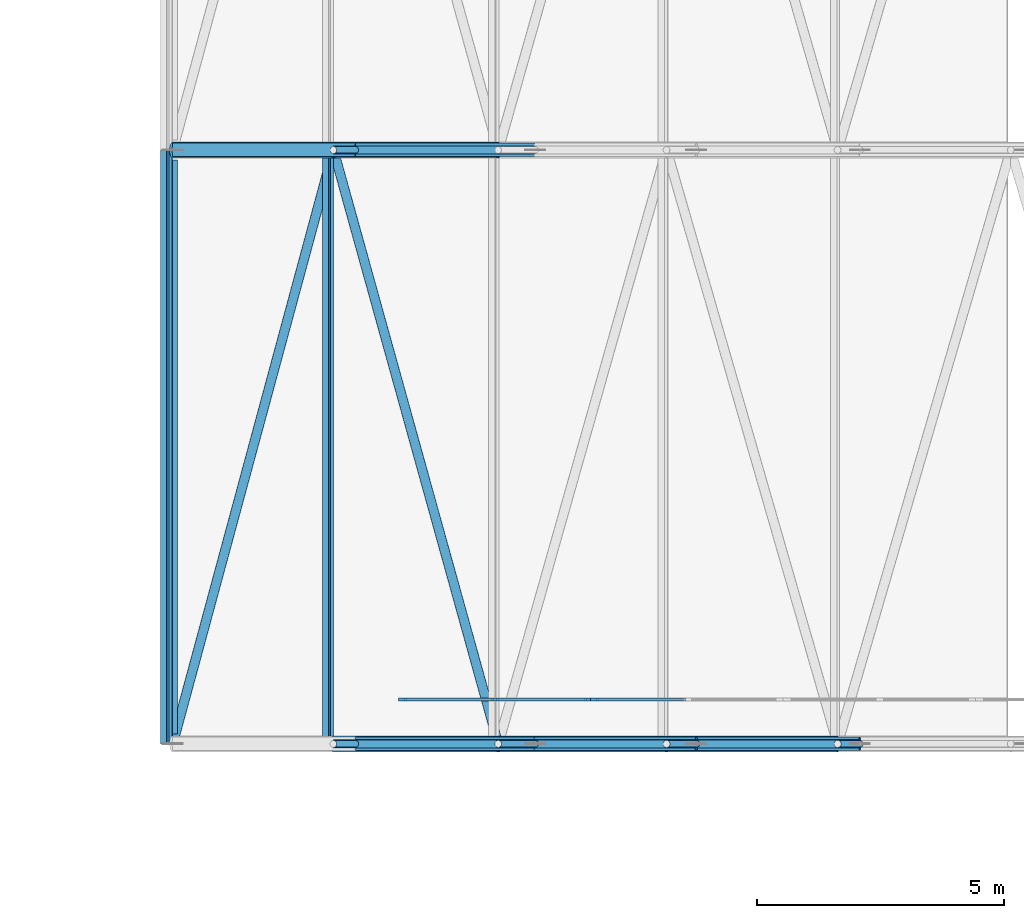
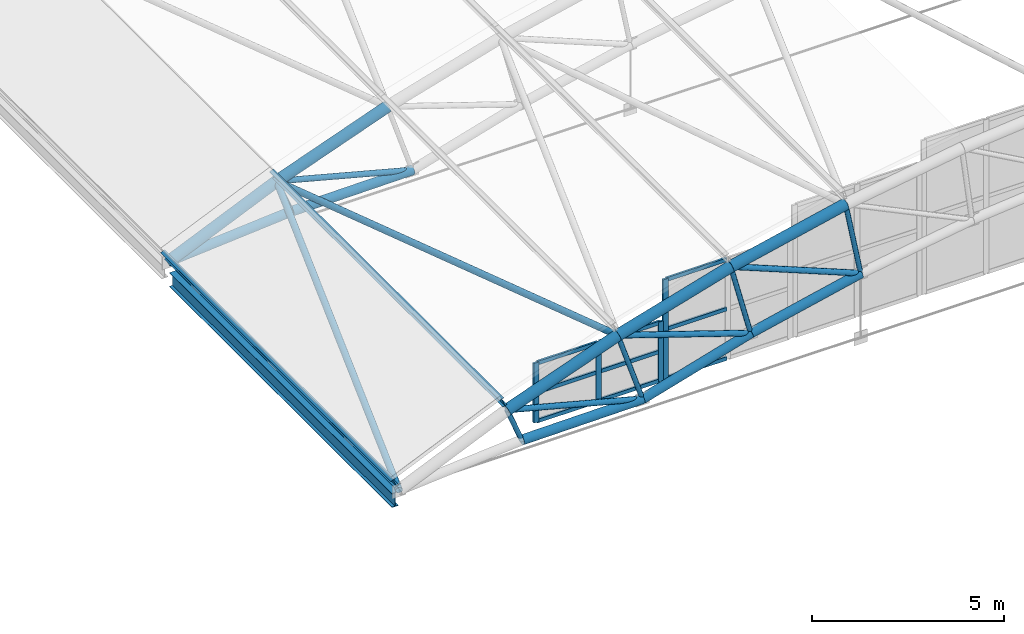
# One storey, part 114 of 321: 36 members, 1 beam, 2 elements without a shape of their own.
"""IFC4 building model written with IfcOpenShell, lengths in metres."""

from ifc_helpers import new_model, si_unit, direction, frame, origin, origin_2d, place, context, subcontext, project, spatial, rectangle, hollow_circle, i_section, extrude, material, layer, layer_set, material_profile, profile_set, type_object, element, aggregate, save


model = new_model("IFC4")

# Units and contexts
model_context = context("Model", 3, precision=1e-05, world=origin(), true_north=direction((0.0, 1.0)))
body_context = subcontext(model_context, "Body", "Model", "MODEL_VIEW")
ifc_project = project(units=[si_unit("LENGTHUNIT", "METRE"), si_unit("AREAUNIT", "SQUARE_METRE"), si_unit("VOLUMEUNIT", "CUBIC_METRE"), si_unit("PLANEANGLEUNIT", "RADIAN"), si_unit("MASSUNIT", "GRAM", prefix="KILO")], contexts=[model_context])

# Site, building, storey
site_placement = place(None, origin())
site = spatial("IfcSite", under=ifc_project, at=site_placement, CompositionType="ELEMENT")
building_placement = place(site_placement, origin())
building = spatial("IfcBuilding", under=site, at=building_placement, Name="Ravi Spectrum Wholesale Market", CompositionType="ELEMENT")
storey_placement = place(building_placement, frame((0.0, 0.0, 10.800048828125)))
storey = spatial("IfcBuildingStorey", under=building, at=storey_placement, Name="L02", CompositionType="ELEMENT", Elevation=10.800048828125)

# Members
ifc_material_1 = material(Name="Steel S355", Category="steel")
ifc_material_profile_1 = material_profile(ifc_material_1, hollow_circle(Radius=0.06982421875, WallThickness=0.0048828125, at=origin_2d()))
ifc_profile_set_1 = profile_set([ifc_material_profile_1], Name="Steel S355")
member_type_1 = type_object("IfcMemberType", Name="CHS 139.7x5 post", PredefinedType="POST", material=ifc_profile_set_1)
member_1_placement = place(storey_placement, frame((153.24755859375, 78.0, 1.415283203125), z_axis=(0.370337942638, 0.0, -0.928897092386), x_axis=(0.0, 1.0, 0.0)))
element("IfcMember", 1, at=member_1_placement, inside=storey, type_object=member_type_1, Name="H2-MB-L02-029", PredefinedType="POST", context=body_context, shape_type="SweptSolid", body=[
    extrude(hollow_circle(Radius=0.06982421875, WallThickness=0.0048828125, at=origin_2d()), origin(), (0.0, 0.0, 1.0), 1.19970703125),
])
member_2_placement = place(storey_placement, frame((156.577880859375, 78.0, 2.62255859375), z_axis=(0.310973905747, 0.0, -0.950418449918), x_axis=(0.0, 1.0, 0.0)))
element("IfcMember", 2, at=member_2_placement, inside=storey, type_object=member_type_1, Name="H2-MB-L02-030", PredefinedType="POST", context=body_context, shape_type="SweptSolid", body=[
    extrude(hollow_circle(Radius=0.06982421875, WallThickness=0.0048828125, at=origin_2d()), origin(), (0.0, 0.0, 1.0), 2.39990234375),
])
member_3_placement = place(storey_placement, frame((159.97802734375, 78.0, 3.6171875), z_axis=(0.250234870817, 0.0, -0.96818516278), x_axis=(0.0, 1.0, 0.0)))
element("IfcMember", 3, at=member_3_placement, inside=storey, type_object=member_type_1, Name="H2-MB-L02-031", PredefinedType="POST", context=body_context, shape_type="SweptSolid", body=[
    extrude(hollow_circle(Radius=0.06982421875, WallThickness=0.0048828125, at=origin_2d()), origin(), (0.0, 0.0, 1.0), 2.400146484375),
])
member_4_placement = place(storey_placement, frame((163.434326171875, 78.0, 4.394775390625), z_axis=(0.188500261805, 0.0, -0.982073139486), x_axis=(0.0, 1.0, 0.0)))
element("IfcMember", 4, at=member_4_placement, inside=storey, type_object=member_type_1, Name="H2-MB-L02-032", PredefinedType="POST", context=body_context, shape_type="SweptSolid", body=[
    extrude(hollow_circle(Radius=0.06982421875, WallThickness=0.0048828125, at=origin_2d()), origin(), (0.0, 0.0, 1.0), 2.39990234375),
])
member_5_placement = place(storey_placement, frame((153.24755859375, 90.0, 1.415283203125), z_axis=(0.370337942638, 0.0, -0.928897092386), x_axis=(0.0, 1.0, 0.0)))
element("IfcMember", 5, at=member_5_placement, inside=storey, type_object=member_type_1, Name="H2-MB-L02-085", PredefinedType="POST", context=body_context, shape_type="SweptSolid", body=[
    extrude(hollow_circle(Radius=0.06982421875, WallThickness=0.0048828125, at=origin_2d()), origin(), (0.0, 0.0, 1.0), 1.19970703125),
])
ifc_material_2 = material(Name="Steel S355", Category="steel")
ifc_material_profile_2 = material_profile(ifc_material_2, hollow_circle(Radius=0.084228515625, WallThickness=0.00634765625, at=origin_2d()))
ifc_profile_set_2 = profile_set([ifc_material_profile_2], Name="Steel S355")
member_type_2 = type_object("IfcMemberType", Name="CHS 168.3x6.3 brace", PredefinedType="BRACE", material=ifc_profile_set_2)
member_6_placement = place(storey_placement, frame((153.24755859375, 78.0, 1.415283203125), z_axis=(0.96702050396, 0.0, -0.254698537335), x_axis=(0.0, 1.0, 0.0)))
element("IfcMember", 6, at=member_6_placement, inside=storey, type_object=member_type_2, Name="H2-MB-L02-042", PredefinedType="BRACE", context=body_context, shape_type="SweptSolid", body=[
    extrude(hollow_circle(Radius=0.084228515625, WallThickness=0.00634765625, at=origin_2d()), origin(), (0.0, 0.0, 1.0), 4.215576171875),
])
for number, where, z_axis, x_axis, name in (
    (7, (156.577880859375, 78.0, 2.62255859375), (0.949001331945, 0.0, -0.315272060237), (0.0, 1.0, 0.0), "H2-MB-L02-043"),
    (8, (159.97802734375, 78.0, 3.6171875), (0.927172989808, 0.0, -0.374633483515), (0.0, 1.0, 0.0), "H2-MB-L02-044"),
):
    element("IfcMember", number, at=place(storey_placement, frame(where, z_axis=z_axis, x_axis=x_axis)), inside=storey, type_object=member_type_2, Name=name, PredefinedType="BRACE", context=body_context, shape_type="SweptSolid", body=[
        extrude(hollow_circle(Radius=0.084228515625, WallThickness=0.00634765625, at=origin_2d()), origin(), (0.0, 0.0, 1.0), 4.2158203125),
    ])
member_7_placement = place(storey_placement, frame((153.24755859375, 90.0, 1.415283203125), z_axis=(0.96702050396, 0.0, -0.254698537335), x_axis=(0.0, 1.0, 0.0)))
element("IfcMember", 9, at=member_7_placement, inside=storey, type_object=member_type_2, Name="H2-MB-L02-098", PredefinedType="BRACE", context=body_context, shape_type="SweptSolid", body=[
    extrude(hollow_circle(Radius=0.084228515625, WallThickness=0.00634765625, at=origin_2d()), origin(), (0.0, 0.0, 1.0), 4.215576171875),
])
ifc_material_3 = material(Name="Steel S355", Category="steel")
ifc_material_profile_3 = material_profile(ifc_material_3, hollow_circle(Radius=0.096923828125, WallThickness=0.00634765625, at=origin_2d()))
ifc_profile_set_3 = profile_set([ifc_material_profile_3], Name="Steel S355")
member_type_3 = type_object("IfcMemberType", Name="CHS 193.7x6.3 brace", PredefinedType="BRACE", material=ifc_profile_set_3)
for number, where, z_axis, x_axis, name in (
    (10, (150.0, 78.0, 0.0), (0.259555912647, 0.959080756158, 0.113114240386), (-0.965275907669, 0.261232505774, 0.0), "H2-MB-L02-341"),
    (11, (153.24755859375, 90.0, 1.415283203125), (0.266171604167, -0.959084135183, 0.096489889495), (0.963580234601, 0.267419392501, 0.0), "H2-MB-L02-342"),
):
    element("IfcMember", number, at=place(storey_placement, frame(where, z_axis=z_axis, x_axis=x_axis)), inside=storey, type_object=member_type_3, Name=name, PredefinedType="BRACE", context=body_context, shape_type="SweptSolid", body=[
        extrude(hollow_circle(Radius=0.096923828125, WallThickness=0.00634765625, at=origin_2d()), origin(), (0.0, 0.0, 1.0), 12.511962890625),
    ])
ifc_material_4 = material(Name="Steel S355", Category="steel")
ifc_material_profile_4 = material_profile(ifc_material_4, hollow_circle(Radius=0.136474609375, WallThickness=0.010009765625, at=origin_2d()))
ifc_profile_set_4 = profile_set([ifc_material_profile_4], Name="Steel S355")
member_type_4 = type_object("IfcMemberType", Name="CHS 273x10 chord", PredefinedType="CHORD", material=ifc_profile_set_4)
member_8_placement = place(storey_placement, frame((153.69189453125, 78.0, 0.30078125), z_axis=(0.999937009827, 0.0, 0.011223919925), x_axis=(0.0, 1.0, 0.0)))
element("IfcMember", 12, at=member_8_placement, inside=storey, type_object=member_type_4, Name="H2-MB-L02-016", PredefinedType="CHORD", context=body_context, shape_type="SweptSolid", body=[
    extrude(hollow_circle(Radius=0.136474609375, WallThickness=0.010009765625, at=origin_2d()), origin(), (0.0, 0.0, 1.0), 3.632568359375),
])
for number, where, z_axis, x_axis, name in (
    (13, (157.32421875, 78.0, 0.341552734375), (0.959785210249, 0.0, 0.280735373951), (0.0, 1.0, 0.0), "H2-MB-L02-017"),
    (14, (160.57861328125, 78.0, 1.29345703125), (0.975605901076, 0.0, 0.219529327851), (0.0, 1.0, 0.0), "H2-MB-L02-018"),
):
    element("IfcMember", number, at=place(storey_placement, frame(where, z_axis=z_axis, x_axis=x_axis)), inside=storey, type_object=member_type_4, Name=name, PredefinedType="CHORD", context=body_context, shape_type="SweptSolid", body=[
        extrude(hollow_circle(Radius=0.136474609375, WallThickness=0.010009765625, at=origin_2d()), origin(), (0.0, 0.0, 1.0), 3.390869140625),
    ])
member_9_placement = place(storey_placement, frame((150.0, 90.0, 0.0), z_axis=(0.996697692296, 0.0, 0.081201663597), x_axis=(0.0, 1.0, 0.0)))
element("IfcMember", 15, at=member_9_placement, inside=storey, type_object=member_type_4, Name="H2-MB-L02-071", PredefinedType="CHORD", context=body_context, shape_type="SweptSolid", body=[
    extrude(hollow_circle(Radius=0.136474609375, WallThickness=0.010009765625, at=origin_2d()), origin(), (0.0, 0.0, 1.0), 3.7041015625),
])
member_10_placement = place(storey_placement, frame((153.69189453125, 90.0, 0.30078125), z_axis=(0.999937009827, 0.0, 0.011223919925), x_axis=(0.0, 1.0, 0.0)))
element("IfcMember", 16, at=member_10_placement, inside=storey, type_object=member_type_4, Name="H2-MB-L02-072", PredefinedType="CHORD", context=body_context, shape_type="SweptSolid", body=[
    extrude(hollow_circle(Radius=0.136474609375, WallThickness=0.010009765625, at=origin_2d()), origin(), (0.0, 0.0, 1.0), 3.632568359375),
])
ifc_material_5 = material(Name="Steel S355", Category="steel")
ifc_material_profile_5 = material_profile(ifc_material_5, hollow_circle(Radius=0.161865234375, WallThickness=0.010009765625, at=origin_2d()))
ifc_profile_set_5 = profile_set([ifc_material_profile_5], Name="Steel S355")
member_type_5 = type_object("IfcMemberType", Name="CHS 323.9x10 chord", PredefinedType="CHORD", material=ifc_profile_set_5)
member_11_placement = place(storey_placement, frame((153.24755859375, 78.0, 1.415283203125), z_axis=(0.940133028891, 0.0, 0.340807699426), x_axis=(0.0, 1.0, 0.0)))
element("IfcMember", 17, at=member_11_placement, inside=storey, type_object=member_type_5, Name="H2-MB-L02-002", PredefinedType="CHORD", context=body_context, shape_type="SweptSolid", body=[
    extrude(hollow_circle(Radius=0.161865234375, WallThickness=0.010009765625, at=origin_2d()), origin(), (0.0, 0.0, 1.0), 3.54248046875),
])
for number, where, z_axis, x_axis, name in (
    (18, (156.577880859375, 78.0, 2.62255859375), (0.959778179425, 0.0, 0.280759409993), (0.0, 1.0, 0.0), "H2-MB-L02-003"),
    (19, (159.97802734375, 78.0, 3.6171875), (0.975614552373, 0.0, 0.219490877256), (0.0, 1.0, 0.0), "H2-MB-L02-004"),
):
    element("IfcMember", number, at=place(storey_placement, frame(where, z_axis=z_axis, x_axis=x_axis)), inside=storey, type_object=member_type_5, Name=name, PredefinedType="CHORD", context=body_context, shape_type="SweptSolid", body=[
        extrude(hollow_circle(Radius=0.161865234375, WallThickness=0.010009765625, at=origin_2d()), origin(), (0.0, 0.0, 1.0), 3.542724609375),
    ])
for number, where, z_axis, x_axis, name in (
    (20, (150.0, 90.0, 0.0), (0.916728973025, 0.0, 0.399509687012), (0.0, 1.0, 0.0), "H2-MB-L02-057"),
    (21, (153.24755859375, 90.0, 1.415283203125), (0.940133028891, 0.0, 0.340807699426), (0.0, 1.0, 0.0), "H2-MB-L02-058"),
):
    element("IfcMember", number, at=place(storey_placement, frame(where, z_axis=z_axis, x_axis=x_axis)), inside=storey, type_object=member_type_5, Name=name, PredefinedType="CHORD", context=body_context, shape_type="SweptSolid", body=[
        extrude(hollow_circle(Radius=0.161865234375, WallThickness=0.010009765625, at=origin_2d()), origin(), (0.0, 0.0, 1.0), 3.54248046875),
    ])
ifc_material_6 = material(Name="Steel S355", Category="steel")
ifc_material_profile_6 = material_profile(ifc_material_6, i_section(OverallWidth=0.135009765625, OverallDepth=0.27001953125, WebThickness=0.006591796875, FlangeThickness=0.01025390625, at=origin_2d()))
ifc_profile_set_6 = profile_set([ifc_material_profile_6], Name="Steel S355")
member_type_6 = type_object("IfcMemberType", Name="IPE 270 purlin", PredefinedType="PURLIN", material=ifc_profile_set_6)
for number, where, z_axis, x_axis, name in (
    (22, (149.872802734375, 78.0, 0.268310546875), (0.0, 1.0, 0.0), (-0.903628792263, 0.0, -0.428316478545), "H2-MB-L02-281"),
    (23, (153.137451171875, 78.0, 1.691162109375), (0.0, 1.0, 0.0), (-0.928888434673, 0.0, -0.370359657536), "H2-MB-L02-282"),
):
    element("IfcMember", number, at=place(storey_placement, frame(where, z_axis=z_axis, x_axis=x_axis)), inside=storey, type_object=member_type_6, Name=name, PredefinedType="PURLIN", context=body_context, shape_type="SweptSolid", body=[
        extrude(i_section(OverallWidth=0.135009765625, OverallDepth=0.27001953125, WebThickness=0.006591796875, FlangeThickness=0.01025390625, at=origin_2d()), origin(), (0.0, 0.0, 1.0), 12.0),
    ])

# Beam
ifc_material_7 = material(Name="Steel S355", Category="steel")
ifc_material_profile_7 = material_profile(ifc_material_7, i_section(OverallWidth=0.18994140625, OverallDepth=0.449951171875, WebThickness=0.009521484375, FlangeThickness=0.0146484375, at=origin_2d()))
ifc_profile_set_7 = profile_set([ifc_material_profile_7], Name="Steel S355")
beam_type = type_object("IfcBeamType", Name="IPE 450 girder", PredefinedType="BEAM", material=ifc_profile_set_7)
beam_placement = place(storey_placement, frame((150.0, 78.203125, -0.425048828125), z_axis=(0.0, 1.0, 0.0), x_axis=(-1.0, 0.0, 0.0)))
element("IfcBeam", 24, at=beam_placement, inside=storey, type_object=beam_type, Name="H2-BM-L02-001", PredefinedType="BEAM", context=body_context, shape_type="SweptSolid", body=[
    extrude(i_section(OverallWidth=0.18994140625, OverallDepth=0.449951171875, WebThickness=0.009521484375, FlangeThickness=0.0146484375, at=origin_2d()), origin(), (0.0, 0.0, 1.0), 11.59375),
])

# Curtain wall, members
ifc_material_8 = material(Name="Aluminium 6063-T6", Category="aluminium")
ifc_layer = layer(ifc_material_8, 0.14990234375)
ifc_layer_set = layer_set([ifc_layer], Name="Aluminium 6063-T6")
curtain_wall_type = type_object("IfcCurtainWallType", Name="Curtain wall 150", PredefinedType="NOTDEFINED", material=ifc_layer_set)
curtain_wall_1_placement = place(storey_placement, origin())
curtain_wall_1 = element("IfcCurtainWall", 25, at=curtain_wall_1_placement, inside=storey, type_object=curtain_wall_type, Name="H2-CW-L02-001", PredefinedType="NOTDEFINED")
ifc_material_9 = material(Name="Aluminium 6063-T6", Category="aluminium")
ifc_material_profile_8 = material_profile(ifc_material_9, rectangle(XDim=0.06005859375, YDim=0.159912109375, at=origin_2d()))
ifc_profile_set_8 = profile_set([ifc_material_profile_8], Name="Aluminium 6063-T6")
member_type_7 = type_object("IfcMemberType", Name="Mullion 60 x 160", PredefinedType="MULLION", material=ifc_profile_set_8)
member_12_placement = place(storey_placement, frame((154.639404296875, 78.89990234375, 0.0), z_axis=(0.0, 0.0, 1.0), x_axis=(0.0, 1.0, 0.0)))
member_12 = element("IfcMember", 26, at=member_12_placement, type_object=member_type_7, Name="H2-CW-L02-001 mullion 1", PredefinedType="MULLION", context=body_context, shape_type="SweptSolid", body=[
    extrude(rectangle(XDim=0.06005859375, YDim=0.159912109375, at=origin_2d()), origin(), (0.0, 0.0, 1.0), 1.89990234375),
])
member_13_placement = place(storey_placement, frame((156.512451171875, 78.89990234375, 0.0), z_axis=(0.0, 0.0, 1.0), x_axis=(0.0, 1.0, 0.0)))
member_13 = element("IfcMember", 27, at=member_13_placement, type_object=member_type_7, Name="H2-CW-L02-001 mullion 2", PredefinedType="MULLION", context=body_context, shape_type="SweptSolid", body=[
    extrude(rectangle(XDim=0.06005859375, YDim=0.159912109375, at=origin_2d()), origin(), (0.0, 0.0, 1.0), 1.89990234375),
])
member_14_placement = place(storey_placement, frame((158.385498046875, 78.89990234375, 0.0), z_axis=(0.0, 0.0, 1.0), x_axis=(0.0, 1.0, 0.0)))
member_14 = element("IfcMember", 28, at=member_14_placement, type_object=member_type_7, Name="H2-CW-L02-001 mullion 3", PredefinedType="MULLION", context=body_context, shape_type="SweptSolid", body=[
    extrude(rectangle(XDim=0.06005859375, YDim=0.159912109375, at=origin_2d()), origin(), (0.0, 0.0, 1.0), 1.89990234375),
])

# Curtain wall, member
curtain_wall_2_placement = place(storey_placement, origin())
curtain_wall_2 = element("IfcCurtainWall", 29, at=curtain_wall_2_placement, inside=storey, type_object=curtain_wall_type, Name="H2-CW-L02-002", PredefinedType="NOTDEFINED")
member_15_placement = place(storey_placement, frame((158.525390625, 78.89990234375, 0.0), z_axis=(0.0, 0.0, 1.0), x_axis=(0.0, 1.0, 0.0)))
member_15 = element("IfcMember", 30, at=member_15_placement, type_object=member_type_7, Name="H2-CW-L02-002 mullion 1", PredefinedType="MULLION", context=body_context, shape_type="SweptSolid", body=[
    extrude(rectangle(XDim=0.06005859375, YDim=0.159912109375, at=origin_2d()), origin(), (0.0, 0.0, 1.0), 3.199951171875),
])

# Member
ifc_material_10 = material(Name="Aluminium 6063-T6", Category="aluminium")
ifc_material_profile_9 = material_profile(ifc_material_10, rectangle(XDim=0.06005859375, YDim=0.1201171875, at=origin_2d()))
ifc_profile_set_9 = profile_set([ifc_material_profile_9], Name="Aluminium 6063-T6")
member_type_8 = type_object("IfcMemberType", Name="Transom 60 x 120", PredefinedType="USERDEFINED", material=ifc_profile_set_9)
member_16_placement = place(storey_placement, frame((154.66943359375, 78.89990234375, 0.030029296875), z_axis=(1.0, 0.0, 0.0), x_axis=(0.0, 1.0, 0.0)))
member_16 = element("IfcMember", 31, at=member_16_placement, type_object=member_type_8, Name="H2-CW-L02-001 transom 1.1", ObjectType="TRANSOM", PredefinedType="USERDEFINED", context=body_context, shape_type="SweptSolid", body=[
    extrude(rectangle(XDim=0.06005859375, YDim=0.1201171875, at=origin_2d()), origin(), (0.0, 0.0, 1.0), 1.81298828125),
])

member_17_placement = place(storey_placement, frame((154.66943359375, 78.89990234375, 0.949951171875), z_axis=(1.0, 0.0, 0.0), x_axis=(0.0, 1.0, 0.0)))
member_17 = element("IfcMember", 32, at=member_17_placement, type_object=member_type_8, Name="H2-CW-L02-001 transom 1.2", ObjectType="TRANSOM", PredefinedType="USERDEFINED", context=body_context, shape_type="SweptSolid", body=[
    extrude(rectangle(XDim=0.06005859375, YDim=0.1201171875, at=origin_2d()), origin(), (0.0, 0.0, 1.0), 1.81298828125),
])

member_18_placement = place(storey_placement, frame((154.66943359375, 78.89990234375, 1.869873046875), z_axis=(1.0, 0.0, 0.0), x_axis=(0.0, 1.0, 0.0)))
member_18 = element("IfcMember", 33, at=member_18_placement, type_object=member_type_8, Name="H2-CW-L02-001 transom 1.3", ObjectType="TRANSOM", PredefinedType="USERDEFINED", context=body_context, shape_type="SweptSolid", body=[
    extrude(rectangle(XDim=0.06005859375, YDim=0.1201171875, at=origin_2d()), origin(), (0.0, 0.0, 1.0), 1.81298828125),
])

member_19_placement = place(storey_placement, frame((156.54248046875, 78.89990234375, 0.030029296875), z_axis=(1.0, 0.0, 0.0), x_axis=(0.0, 1.0, 0.0)))
member_19 = element("IfcMember", 34, at=member_19_placement, type_object=member_type_8, Name="H2-CW-L02-001 transom 2.1", ObjectType="TRANSOM", PredefinedType="USERDEFINED", context=body_context, shape_type="SweptSolid", body=[
    extrude(rectangle(XDim=0.06005859375, YDim=0.1201171875, at=origin_2d()), origin(), (0.0, 0.0, 1.0), 1.81298828125),
])

member_20_placement = place(storey_placement, frame((156.54248046875, 78.89990234375, 0.949951171875), z_axis=(1.0, 0.0, 0.0), x_axis=(0.0, 1.0, 0.0)))
member_20 = element("IfcMember", 35, at=member_20_placement, type_object=member_type_8, Name="H2-CW-L02-001 transom 2.2", ObjectType="TRANSOM", PredefinedType="USERDEFINED", context=body_context, shape_type="SweptSolid", body=[
    extrude(rectangle(XDim=0.06005859375, YDim=0.1201171875, at=origin_2d()), origin(), (0.0, 0.0, 1.0), 1.81298828125),
])

member_21_placement = place(storey_placement, frame((156.54248046875, 78.89990234375, 1.869873046875), z_axis=(1.0, 0.0, 0.0), x_axis=(0.0, 1.0, 0.0)))
member_21 = element("IfcMember", 36, at=member_21_placement, type_object=member_type_8, Name="H2-CW-L02-001 transom 2.3", ObjectType="TRANSOM", PredefinedType="USERDEFINED", context=body_context, shape_type="SweptSolid", body=[
    extrude(rectangle(XDim=0.06005859375, YDim=0.1201171875, at=origin_2d()), origin(), (0.0, 0.0, 1.0), 1.81298828125),
])

aggregate(curtain_wall_1, [member_12, member_13, member_14, member_16, member_17, member_18, member_19, member_20, member_21])

member_22_placement = place(storey_placement, frame((158.555419921875, 78.89990234375, 0.030029296875), z_axis=(1.0, 0.0, 0.0), x_axis=(0.0, 1.0, 0.0)))
member_22 = element("IfcMember", 37, at=member_22_placement, type_object=member_type_8, Name="H2-CW-L02-002 transom 1.1", ObjectType="TRANSOM", PredefinedType="USERDEFINED", context=body_context, shape_type="SweptSolid", body=[
    extrude(rectangle(XDim=0.06005859375, YDim=0.1201171875, at=origin_2d()), origin(), (0.0, 0.0, 1.0), 1.813232421875),
])

member_23_placement = place(storey_placement, frame((158.555419921875, 78.89990234375, 1.599853515625), z_axis=(1.0, 0.0, 0.0), x_axis=(0.0, 1.0, 0.0)))
member_23 = element("IfcMember", 38, at=member_23_placement, type_object=member_type_8, Name="H2-CW-L02-002 transom 1.2", ObjectType="TRANSOM", PredefinedType="USERDEFINED", context=body_context, shape_type="SweptSolid", body=[
    extrude(rectangle(XDim=0.06005859375, YDim=0.1201171875, at=origin_2d()), origin(), (0.0, 0.0, 1.0), 1.813232421875),
])

member_24_placement = place(storey_placement, frame((158.555419921875, 78.89990234375, 3.169921875), z_axis=(1.0, 0.0, 0.0), x_axis=(0.0, 1.0, 0.0)))
member_24 = element("IfcMember", 39, at=member_24_placement, type_object=member_type_8, Name="H2-CW-L02-002 transom 1.3", ObjectType="TRANSOM", PredefinedType="USERDEFINED", context=body_context, shape_type="SweptSolid", body=[
    extrude(rectangle(XDim=0.06005859375, YDim=0.1201171875, at=origin_2d()), origin(), (0.0, 0.0, 1.0), 1.813232421875),
])

aggregate(curtain_wall_2, [member_15, member_22, member_23, member_24])

save(model, "model.ifc")
